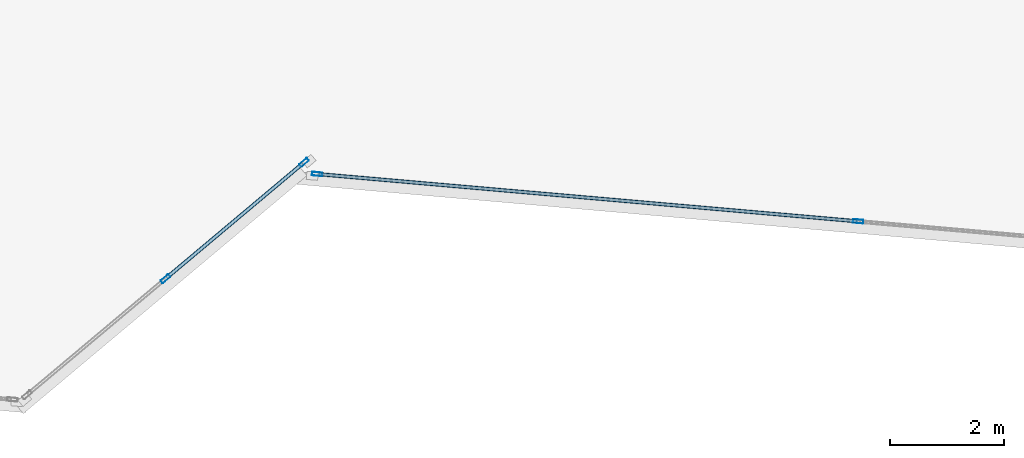
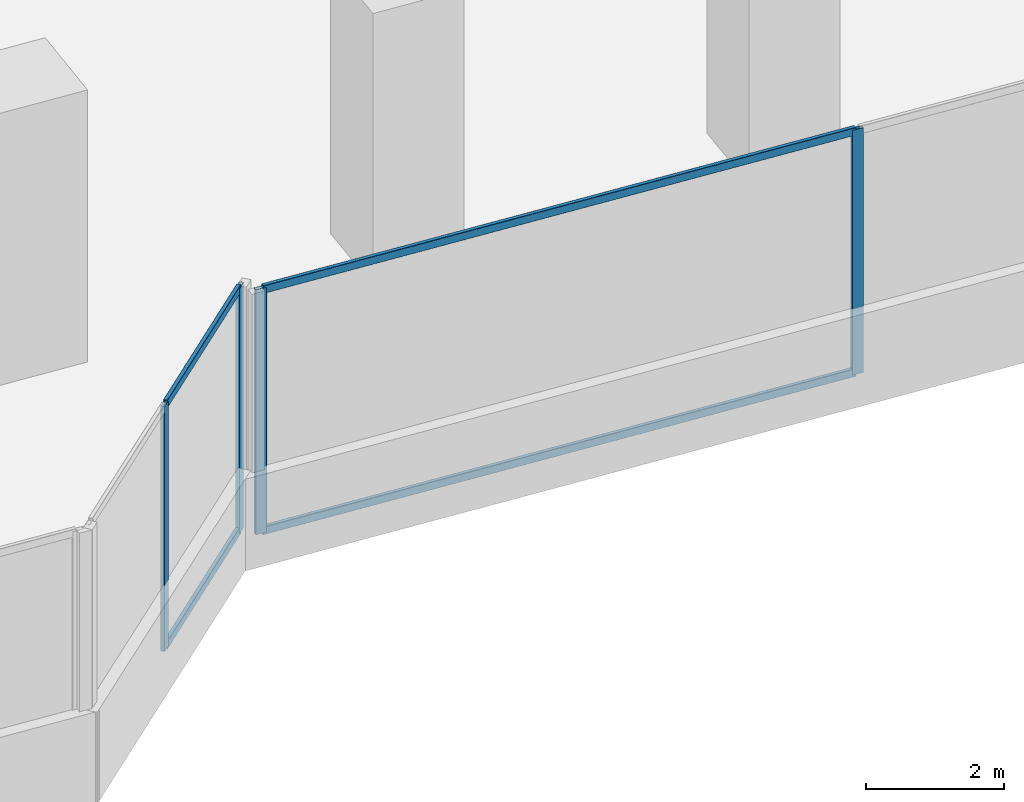
# One storey, part 8 of 24: 8 members, 2 elements without a shape of their own.
"""IFC4 building model written with IfcOpenShell, lengths in metres."""

from ifc_helpers import new_model, si_unit, direction, frame, origin, origin_2d, place, context, subcontext, project, spatial, hollow_rectangle, extrude, source, transform, mapped, material, material_profile, profile_set, type_object, element, aggregate, save


model = new_model("IFC4")

# Units and contexts
model_context = context("Model", 3, precision=1e-05, world=origin(), true_north=direction((0.0, 1.0)))
body_context = subcontext(model_context, "Body", "Model", "MODEL_VIEW")
ifc_project = project(units=[si_unit("LENGTHUNIT", "METRE"), si_unit("AREAUNIT", "SQUARE_METRE"), si_unit("VOLUMEUNIT", "CUBIC_METRE"), si_unit("PLANEANGLEUNIT", "RADIAN"), si_unit("MASSUNIT", "GRAM", prefix="KILO")], contexts=[model_context])

# Site, building, storey
site_placement = place(None, origin())
site = spatial("IfcSite", under=ifc_project, at=site_placement, CompositionType="ELEMENT")
building_placement = place(site_placement, origin())
building = spatial("IfcBuilding", under=site, at=building_placement, Name="Torre Montelarca", CompositionType="ELEMENT")
storey_placement = place(building_placement, frame((0.0, 0.0, 47.199951171875)))
storey = spatial("IfcBuildingStorey", under=building, at=storey_placement, Name="L10", CompositionType="ELEMENT", Elevation=47.199951171875)

# Curtain wall, members
ifc_material_1 = material(Name="Insulated low-E laminated glass", Category="glass")
curtain_wall_type = type_object("IfcCurtainWallType", Name="CW-SYS-Z1", PredefinedType="USERDEFINED", material=ifc_material_1)
curtain_wall_1_placement = place(storey_placement, origin())
curtain_wall_1 = element("IfcCurtainWall", 1, at=curtain_wall_1_placement, inside=storey, type_object=curtain_wall_type, Name="L10 Curtain Wall Run CW-T3-L10-E02-B1", ObjectType="UNITISED GLAZING", PredefinedType="USERDEFINED")
ifc_material_2 = material(Name="Anodised aluminium AA 6063-T6", Category="aluminium")
ifc_material_profile_1 = material_profile(ifc_material_2, hollow_rectangle(XDim=0.06494140625, YDim=0.179931640625, WallThickness=0.00390625, InnerFilletRadius=0.00390625, OuterFilletRadius=0.008056640625, at=origin_2d()), Name="ALU65X180X4", Category="aluminium")
ifc_profile_set_1 = profile_set([ifc_material_profile_1], Name="Anodised aluminium AA 6063-T6")
member_type_1 = type_object("IfcMemberType", Name="CWM-ALU180", PredefinedType="MULLION", material=ifc_profile_set_1)
shared_shape_1 = source(origin(), body_context, "Body", "SweptSolid", [
    extrude(hollow_rectangle(XDim=0.06494140625, YDim=0.179931640625, WallThickness=0.00390625, InnerFilletRadius=0.00390625, OuterFilletRadius=0.008056640625, at=origin_2d()), origin(), (0.0, 0.0, 1.0), 4.320068359375),
])
member_1_placement = place(storey_placement, frame((33.267333984375, 15.1826171875, 0.0), z_axis=(0.0, 0.0, 1.0), x_axis=(-0.642777937498, 0.766052558945, 0.0)))
member_1 = element("IfcMember", 2, at=member_1_placement, type_object=member_type_1, Name="CW mullion 2", PredefinedType="MULLION", context=body_context, shape_type="MappedRepresentation", body=[
    mapped(shared_shape_1, transform((0.0, 0.0, 0.0), scale=1.0)),
])
member_2_placement = place(storey_placement, frame((35.69384765625, 17.218505859375, 0.0), z_axis=(0.0, 0.0, 1.0), x_axis=(-0.642777937498, 0.766052558945, 0.0)))
member_2 = element("IfcMember", 3, at=member_2_placement, type_object=member_type_1, Name="CW mullion 3", PredefinedType="MULLION", context=body_context, shape_type="MappedRepresentation", body=[
    mapped(shared_shape_1, transform((0.0, 0.0, 0.0), scale=1.0)),
])

curtain_wall_2_placement = place(storey_placement, origin())
curtain_wall_2 = element("IfcCurtainWall", 4, at=curtain_wall_2_placement, inside=storey, type_object=curtain_wall_type, Name="L10 Curtain Wall Run CW-T3-L10-E04-B1", ObjectType="UNITISED GLAZING", PredefinedType="USERDEFINED")
member_3_placement = place(storey_placement, frame((35.923583984375, 17.015869140625, 0.0), z_axis=(0.0, 0.0, 1.0), x_axis=(0.087161882244, 0.996194160936, 0.0)))
member_3 = element("IfcMember", 5, at=member_3_placement, type_object=member_type_1, Name="CW mullion 1", PredefinedType="MULLION", context=body_context, shape_type="MappedRepresentation", body=[
    mapped(shared_shape_1, transform((0.0, 0.0, 0.0), scale=1.0)),
])
member_4_placement = place(storey_placement, frame((45.40087890625, 16.186767578125, 0.0), z_axis=(0.0, 0.0, 1.0), x_axis=(0.087161882244, 0.996194160936, 0.0)))
member_4 = element("IfcMember", 6, at=member_4_placement, type_object=member_type_1, Name="CW mullion 2", PredefinedType="MULLION", context=body_context, shape_type="MappedRepresentation", body=[
    mapped(shared_shape_1, transform((0.0, 0.0, 0.0), scale=1.0)),
])

# Member
ifc_material_profile_2 = material_profile(ifc_material_2, hollow_rectangle(XDim=0.06494140625, YDim=0.139892578125, WallThickness=0.00390625, InnerFilletRadius=0.00390625, OuterFilletRadius=0.008056640625, at=origin_2d()), Name="ALU65X140X4", Category="aluminium")
ifc_profile_set_2 = profile_set([ifc_material_profile_2], Name="Anodised aluminium AA 6063-T6")
member_type_2 = type_object("IfcMemberType", Name="CWT-ALU140", PredefinedType="USERDEFINED", material=ifc_profile_set_2)
shared_shape_2 = source(origin(), body_context, "Body", "SweptSolid", [
    extrude(hollow_rectangle(XDim=0.06494140625, YDim=0.139892578125, WallThickness=0.00390625, InnerFilletRadius=0.00390625, OuterFilletRadius=0.008056640625, at=origin_2d()), origin(), (0.0, 0.0, 1.0), 3.1025390625),
])
member_5_placement = place(storey_placement, frame((33.292236328125, 15.203369140625, 0.032470703125), z_axis=(0.766030296988, 0.642804468012, 0.0), x_axis=(-0.642804468012, 0.766030296988, 0.0)))
member_5 = element("IfcMember", 7, at=member_5_placement, type_object=member_type_2, Name="CW transom 2.1", ObjectType="TRANSOM", PredefinedType="USERDEFINED", context=body_context, shape_type="MappedRepresentation", body=[
    mapped(shared_shape_2, transform((0.0, 0.0, 0.0), scale=1.0)),
])

member_6_placement = place(storey_placement, frame((33.292236328125, 15.203369140625, 4.28759765625), z_axis=(0.766030296988, 0.642804468012, 0.0), x_axis=(-0.642804468012, 0.766030296988, 0.0)))
member_6 = element("IfcMember", 8, at=member_6_placement, type_object=member_type_2, Name="CW transom 2.2", ObjectType="TRANSOM", PredefinedType="USERDEFINED", context=body_context, shape_type="MappedRepresentation", body=[
    mapped(shared_shape_2, transform((0.0, 0.0, 0.0), scale=1.0)),
])

aggregate(curtain_wall_1, [member_1, member_2, member_5, member_6])

shared_shape_3 = source(origin(), body_context, "Body", "SweptSolid", [
    extrude(hollow_rectangle(XDim=0.06494140625, YDim=0.139892578125, WallThickness=0.00390625, InnerFilletRadius=0.00390625, OuterFilletRadius=0.008056640625, at=origin_2d()), origin(), (0.0, 0.0, 1.0), 9.448486328125),
])
member_7_placement = place(storey_placement, frame((35.955810546875, 17.01318359375, 0.032470703125), z_axis=(0.996194783193, -0.087154770029, 0.0), x_axis=(0.087154770029, 0.996194783193, 0.0)))
member_7 = element("IfcMember", 9, at=member_7_placement, type_object=member_type_2, Name="CW transom 1.1", ObjectType="TRANSOM", PredefinedType="USERDEFINED", context=body_context, shape_type="MappedRepresentation", body=[
    mapped(shared_shape_3, transform((0.0, 0.0, 0.0), scale=1.0)),
])

member_8_placement = place(storey_placement, frame((35.955810546875, 17.01318359375, 4.28759765625), z_axis=(0.996194783193, -0.087154770029, 0.0), x_axis=(0.087154770029, 0.996194783193, 0.0)))
member_8 = element("IfcMember", 10, at=member_8_placement, type_object=member_type_2, Name="CW transom 1.2", ObjectType="TRANSOM", PredefinedType="USERDEFINED", context=body_context, shape_type="MappedRepresentation", body=[
    mapped(shared_shape_3, transform((0.0, 0.0, 0.0), scale=1.0)),
])

aggregate(curtain_wall_2, [member_3, member_4, member_7, member_8])

save(model, "model.ifc")
